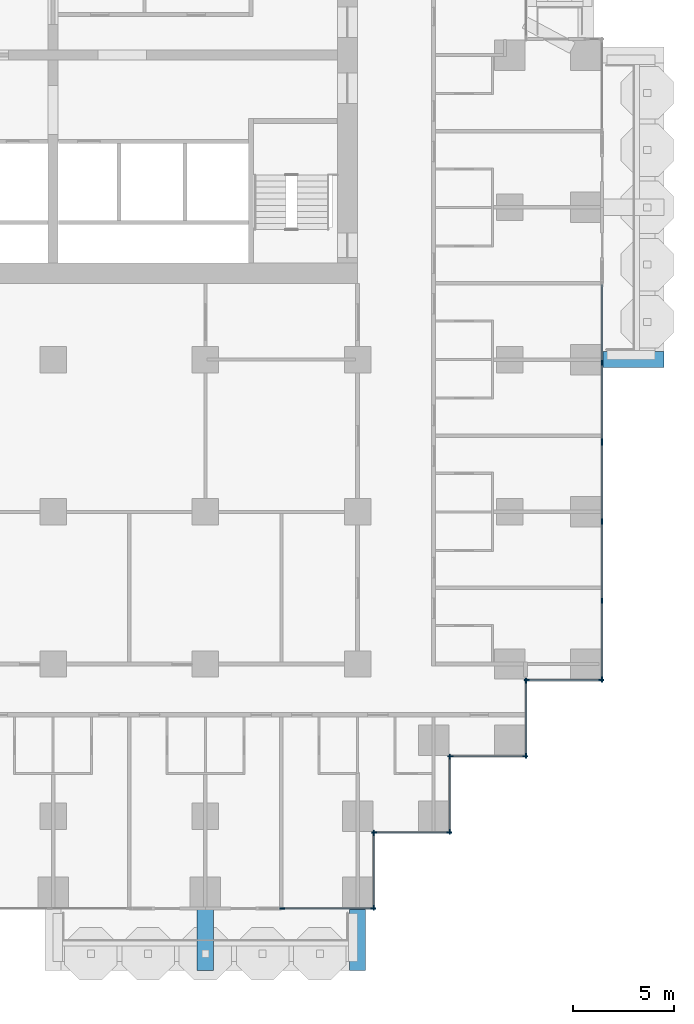
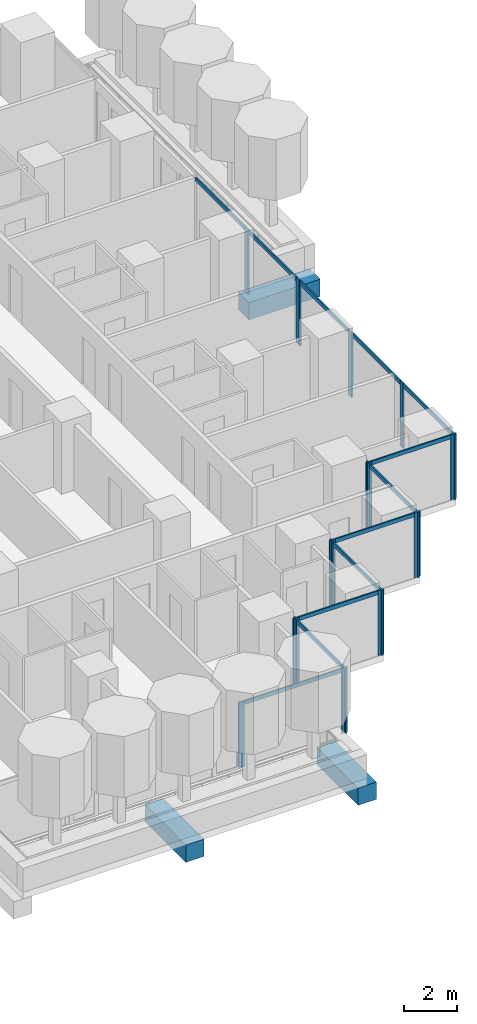
# One storey, part 4 of 20: 32 members, 3 beams, 9 elements without a shape of their own.
"""IFC4 building model written with IfcOpenShell, lengths in metres."""

from ifc_helpers import new_model, si_unit, direction, frame, origin, origin_2d, place, context, subcontext, project, spatial, rectangle, extrude, material, material_profile, profile_set, type_object, element, aggregate, save


model = new_model("IFC4")

# Units and contexts
model_context = context("Model", 3, precision=1e-05, world=origin(), true_north=direction((0.0, 1.0)))
body_context = subcontext(model_context, "Body", "Model", "MODEL_VIEW")
ifc_project = project(units=[si_unit("LENGTHUNIT", "METRE"), si_unit("AREAUNIT", "SQUARE_METRE"), si_unit("VOLUMEUNIT", "CUBIC_METRE"), si_unit("PLANEANGLEUNIT", "RADIAN"), si_unit("MASSUNIT", "GRAM", prefix="KILO")], contexts=[model_context])

# Site, building, storey
site_placement = place(None, origin())
site = spatial("IfcSite", under=ifc_project, at=site_placement, CompositionType="ELEMENT")
building_placement = place(site_placement, origin())
building = spatial("IfcBuilding", under=site, at=building_placement, Name="Pilkhan Gate Tower", CompositionType="ELEMENT")
storey_placement = place(building_placement, frame((0.0, 0.0, 92.300048828125)))
storey = spatial("IfcBuildingStorey", under=building, at=storey_placement, Name="L22", CompositionType="ELEMENT", Elevation=92.300048828125)

# Beams
ifc_material_1 = material(Name="Concrete C50/60", Category="concrete")
ifc_material_profile_1 = material_profile(ifc_material_1, rectangle(XDim=0.800048828125, YDim=0.800048828125, at=origin_2d()), Name="RC 800x800")
ifc_profile_set_1 = profile_set([ifc_material_profile_1], Name="Concrete C50/60")
beam_type = type_object("IfcBeamType", Name="Cantilever beam CB2 RC 800x800 C50/60", PredefinedType="BEAM", material=ifc_profile_set_1)
for number, where, z_axis, x_axis, name in (
    (1, (82.5, 40.5, -0.699951171875), (0.0, -1.0, 0.0), (1.0, 0.0, 0.0), "Balcony beam S.2 L22"),
    (2, (90.0, 40.5, -0.699951171875), (0.0, -1.0, 0.0), (1.0, 0.0, 0.0), "Balcony beam S.3 L22"),
    (3, (102.0, 67.5, -0.699951171875), (1.0, 0.0, 0.0), (0.0, 1.0, 0.0), "Balcony beam E.1 L22"),
):
    element("IfcBeam", number, at=place(storey_placement, frame(where, z_axis=z_axis, x_axis=x_axis)), inside=storey, type_object=beam_type, Name=name, PredefinedType="BEAM", context=body_context, shape_type="SweptSolid", body=[
        extrude(rectangle(XDim=0.800048828125, YDim=0.800048828125, at=origin_2d()), origin(), (0.0, 0.0, 1.0), 3.10009765625),
    ])

# Curtain wall, members
ifc_material_2 = material(Name="Pale anodised aluminium, clear low-iron double glazing", Category="aluminium")
curtain_wall_type = type_object("IfcCurtainWallType", Name="Hotel unitised curtain wall CW-H", PredefinedType="USERDEFINED", material=ifc_material_2)
curtain_wall_1_placement = place(storey_placement, origin())
curtain_wall_1 = element("IfcCurtainWall", 4, at=curtain_wall_1_placement, inside=storey, type_object=curtain_wall_type, Name="Hotel unitised curtain wall CW-H L22 E", ObjectType="UNITISED CURTAIN WALL", PredefinedType="USERDEFINED")
ifc_material_3 = material(Name="Pale anodised aluminium", Category="aluminium")
ifc_material_profile_2 = material_profile(ifc_material_3, rectangle(XDim=0.06494140625, YDim=0.25, at=origin_2d()), Name="Mullion 250x65")
ifc_profile_set_2 = profile_set([ifc_material_profile_2], Name="Pale anodised aluminium")
member_type_1 = type_object("IfcMemberType", Name="Mullion CW-H 250x65", PredefinedType="MULLION", material=ifc_profile_set_2)
member_1_placement = place(storey_placement, frame((102.044921875, 51.737548828125, 0.0), z_axis=(0.0, 0.0, 1.0), x_axis=(-1.0, 0.0, 0.0)))
member_1 = element("IfcMember", 5, at=member_1_placement, type_object=member_type_1, Name="CW-H mullion 1", PredefinedType="MULLION", context=body_context, shape_type="SweptSolid", body=[
    extrude(rectangle(XDim=0.06494140625, YDim=0.25, at=origin_2d()), origin(), (0.0, 0.0, 1.0), 3.0),
])
member_2_placement = place(storey_placement, frame((102.044921875, 55.614013671875, 0.0), z_axis=(0.0, 0.0, 1.0), x_axis=(-1.0, 0.0, 0.0)))
member_2 = element("IfcMember", 6, at=member_2_placement, type_object=member_type_1, Name="CW-H mullion 2", PredefinedType="MULLION", context=body_context, shape_type="SweptSolid", body=[
    extrude(rectangle(XDim=0.06494140625, YDim=0.25, at=origin_2d()), origin(), (0.0, 0.0, 1.0), 3.0),
])
member_3_placement = place(storey_placement, frame((102.044921875, 59.52294921875, 0.0), z_axis=(0.0, 0.0, 1.0), x_axis=(-1.0, 0.0, 0.0)))
member_3 = element("IfcMember", 7, at=member_3_placement, type_object=member_type_1, Name="CW-H mullion 3", PredefinedType="MULLION", context=body_context, shape_type="SweptSolid", body=[
    extrude(rectangle(XDim=0.06494140625, YDim=0.25, at=origin_2d()), origin(), (0.0, 0.0, 1.0), 3.0),
])
member_4_placement = place(storey_placement, frame((102.044921875, 63.3994140625, 0.0), z_axis=(0.0, 0.0, 1.0), x_axis=(-1.0, 0.0, 0.0)))
member_4 = element("IfcMember", 8, at=member_4_placement, type_object=member_type_1, Name="CW-H mullion 4", PredefinedType="MULLION", context=body_context, shape_type="SweptSolid", body=[
    extrude(rectangle(XDim=0.06494140625, YDim=0.25, at=origin_2d()), origin(), (0.0, 0.0, 1.0), 3.0),
])

curtain_wall_2_placement = place(storey_placement, origin())
curtain_wall_2 = element("IfcCurtainWall", 9, at=curtain_wall_2_placement, inside=storey, type_object=curtain_wall_type, Name="Hotel unitised curtain wall CW-H L22 E", ObjectType="UNITISED CURTAIN WALL", PredefinedType="USERDEFINED")
member_5_placement = place(storey_placement, frame((102.044921875, 63.464599609375, 0.0), z_axis=(0.0, 0.0, 1.0), x_axis=(-1.0, 0.0, 0.0)))
member_5 = element("IfcMember", 10, at=member_5_placement, type_object=member_type_1, Name="CW-H mullion 1", PredefinedType="MULLION", context=body_context, shape_type="SweptSolid", body=[
    extrude(rectangle(XDim=0.06494140625, YDim=0.25, at=origin_2d()), origin(), (0.0, 0.0, 1.0), 3.0),
])
member_6_placement = place(storey_placement, frame((102.044921875, 67.341064453125, 0.0), z_axis=(0.0, 0.0, 1.0), x_axis=(-1.0, 0.0, 0.0)))
member_6 = element("IfcMember", 11, at=member_6_placement, type_object=member_type_1, Name="CW-H mullion 2", PredefinedType="MULLION", context=body_context, shape_type="SweptSolid", body=[
    extrude(rectangle(XDim=0.06494140625, YDim=0.25, at=origin_2d()), origin(), (0.0, 0.0, 1.0), 3.0),
])

curtain_wall_3_placement = place(storey_placement, origin())
curtain_wall_3 = element("IfcCurtainWall", 12, at=curtain_wall_3_placement, inside=storey, type_object=curtain_wall_type, Name="Hotel unitised curtain wall CW-H L22 S", ObjectType="UNITISED CURTAIN WALL", PredefinedType="USERDEFINED")
member_7_placement = place(storey_placement, frame((86.282470703125, 40.455078125, 0.0), z_axis=(0.0, 0.0, 1.0), x_axis=(0.0, 1.0, 0.0)))
member_7 = element("IfcMember", 13, at=member_7_placement, type_object=member_type_1, Name="CW-H mullion 1", PredefinedType="MULLION", context=body_context, shape_type="SweptSolid", body=[
    extrude(rectangle(XDim=0.06494140625, YDim=0.25, at=origin_2d()), origin(), (0.0, 0.0, 1.0), 3.0),
])
member_8_placement = place(storey_placement, frame((90.762451171875, 40.455078125, 0.0), z_axis=(0.0, 0.0, 1.0), x_axis=(0.0, 1.0, 0.0)))
member_8 = element("IfcMember", 14, at=member_8_placement, type_object=member_type_1, Name="CW-H mullion 2", PredefinedType="MULLION", context=body_context, shape_type="SweptSolid", body=[
    extrude(rectangle(XDim=0.06494140625, YDim=0.25, at=origin_2d()), origin(), (0.0, 0.0, 1.0), 3.0),
])

curtain_wall_4_placement = place(storey_placement, origin())
curtain_wall_4 = element("IfcCurtainWall", 15, at=curtain_wall_4_placement, inside=storey, type_object=curtain_wall_type, Name="Hotel unitised curtain wall CW-H L22 E", ObjectType="UNITISED CURTAIN WALL", PredefinedType="USERDEFINED")
member_9_placement = place(storey_placement, frame((90.794921875, 40.487548828125, 0.0), z_axis=(0.0, 0.0, 1.0), x_axis=(-1.0, 0.0, 0.0)))
member_9 = element("IfcMember", 16, at=member_9_placement, type_object=member_type_1, Name="CW-H mullion 1", PredefinedType="MULLION", context=body_context, shape_type="SweptSolid", body=[
    extrude(rectangle(XDim=0.06494140625, YDim=0.25, at=origin_2d()), origin(), (0.0, 0.0, 1.0), 3.0),
])
member_10_placement = place(storey_placement, frame((90.794921875, 44.172607421875, 0.0), z_axis=(0.0, 0.0, 1.0), x_axis=(-1.0, 0.0, 0.0)))
member_10 = element("IfcMember", 17, at=member_10_placement, type_object=member_type_1, Name="CW-H mullion 2", PredefinedType="MULLION", context=body_context, shape_type="SweptSolid", body=[
    extrude(rectangle(XDim=0.06494140625, YDim=0.25, at=origin_2d()), origin(), (0.0, 0.0, 1.0), 3.0),
])

curtain_wall_5_placement = place(storey_placement, origin())
curtain_wall_5 = element("IfcCurtainWall", 18, at=curtain_wall_5_placement, inside=storey, type_object=curtain_wall_type, Name="Hotel unitised curtain wall CW-H L22 S", ObjectType="UNITISED CURTAIN WALL", PredefinedType="USERDEFINED")
member_11_placement = place(storey_placement, frame((90.827392578125, 44.205078125, 0.0), z_axis=(0.0, 0.0, 1.0), x_axis=(0.0, 1.0, 0.0)))
member_11 = element("IfcMember", 19, at=member_11_placement, type_object=member_type_1, Name="CW-H mullion 1", PredefinedType="MULLION", context=body_context, shape_type="SweptSolid", body=[
    extrude(rectangle(XDim=0.06494140625, YDim=0.25, at=origin_2d()), origin(), (0.0, 0.0, 1.0), 3.0),
])
member_12_placement = place(storey_placement, frame((94.512451171875, 44.205078125, 0.0), z_axis=(0.0, 0.0, 1.0), x_axis=(0.0, 1.0, 0.0)))
member_12 = element("IfcMember", 20, at=member_12_placement, type_object=member_type_1, Name="CW-H mullion 2", PredefinedType="MULLION", context=body_context, shape_type="SweptSolid", body=[
    extrude(rectangle(XDim=0.06494140625, YDim=0.25, at=origin_2d()), origin(), (0.0, 0.0, 1.0), 3.0),
])

curtain_wall_6_placement = place(storey_placement, origin())
curtain_wall_6 = element("IfcCurtainWall", 21, at=curtain_wall_6_placement, inside=storey, type_object=curtain_wall_type, Name="Hotel unitised curtain wall CW-H L22 E", ObjectType="UNITISED CURTAIN WALL", PredefinedType="USERDEFINED")
member_13_placement = place(storey_placement, frame((94.544921875, 44.237548828125, 0.0), z_axis=(0.0, 0.0, 1.0), x_axis=(-1.0, 0.0, 0.0)))
member_13 = element("IfcMember", 22, at=member_13_placement, type_object=member_type_1, Name="CW-H mullion 1", PredefinedType="MULLION", context=body_context, shape_type="SweptSolid", body=[
    extrude(rectangle(XDim=0.06494140625, YDim=0.25, at=origin_2d()), origin(), (0.0, 0.0, 1.0), 3.0),
])
member_14_placement = place(storey_placement, frame((94.544921875, 47.922607421875, 0.0), z_axis=(0.0, 0.0, 1.0), x_axis=(-1.0, 0.0, 0.0)))
member_14 = element("IfcMember", 23, at=member_14_placement, type_object=member_type_1, Name="CW-H mullion 2", PredefinedType="MULLION", context=body_context, shape_type="SweptSolid", body=[
    extrude(rectangle(XDim=0.06494140625, YDim=0.25, at=origin_2d()), origin(), (0.0, 0.0, 1.0), 3.0),
])

curtain_wall_7_placement = place(storey_placement, origin())
curtain_wall_7 = element("IfcCurtainWall", 24, at=curtain_wall_7_placement, inside=storey, type_object=curtain_wall_type, Name="Hotel unitised curtain wall CW-H L22 S", ObjectType="UNITISED CURTAIN WALL", PredefinedType="USERDEFINED")
member_15_placement = place(storey_placement, frame((94.577392578125, 47.955078125, 0.0), z_axis=(0.0, 0.0, 1.0), x_axis=(0.0, 1.0, 0.0)))
member_15 = element("IfcMember", 25, at=member_15_placement, type_object=member_type_1, Name="CW-H mullion 1", PredefinedType="MULLION", context=body_context, shape_type="SweptSolid", body=[
    extrude(rectangle(XDim=0.06494140625, YDim=0.25, at=origin_2d()), origin(), (0.0, 0.0, 1.0), 3.0),
])
member_16_placement = place(storey_placement, frame((98.262451171875, 47.955078125, 0.0), z_axis=(0.0, 0.0, 1.0), x_axis=(0.0, 1.0, 0.0)))
member_16 = element("IfcMember", 26, at=member_16_placement, type_object=member_type_1, Name="CW-H mullion 2", PredefinedType="MULLION", context=body_context, shape_type="SweptSolid", body=[
    extrude(rectangle(XDim=0.06494140625, YDim=0.25, at=origin_2d()), origin(), (0.0, 0.0, 1.0), 3.0),
])

curtain_wall_8_placement = place(storey_placement, origin())
curtain_wall_8 = element("IfcCurtainWall", 27, at=curtain_wall_8_placement, inside=storey, type_object=curtain_wall_type, Name="Hotel unitised curtain wall CW-H L22 E", ObjectType="UNITISED CURTAIN WALL", PredefinedType="USERDEFINED")
member_17_placement = place(storey_placement, frame((98.294921875, 47.987548828125, 0.0), z_axis=(0.0, 0.0, 1.0), x_axis=(-1.0, 0.0, 0.0)))
member_17 = element("IfcMember", 28, at=member_17_placement, type_object=member_type_1, Name="CW-H mullion 1", PredefinedType="MULLION", context=body_context, shape_type="SweptSolid", body=[
    extrude(rectangle(XDim=0.06494140625, YDim=0.25, at=origin_2d()), origin(), (0.0, 0.0, 1.0), 3.0),
])
member_18_placement = place(storey_placement, frame((98.294921875, 51.672607421875, 0.0), z_axis=(0.0, 0.0, 1.0), x_axis=(-1.0, 0.0, 0.0)))
member_18 = element("IfcMember", 29, at=member_18_placement, type_object=member_type_1, Name="CW-H mullion 2", PredefinedType="MULLION", context=body_context, shape_type="SweptSolid", body=[
    extrude(rectangle(XDim=0.06494140625, YDim=0.25, at=origin_2d()), origin(), (0.0, 0.0, 1.0), 3.0),
])

curtain_wall_9_placement = place(storey_placement, origin())
curtain_wall_9 = element("IfcCurtainWall", 30, at=curtain_wall_9_placement, inside=storey, type_object=curtain_wall_type, Name="Hotel unitised curtain wall CW-H L22 S", ObjectType="UNITISED CURTAIN WALL", PredefinedType="USERDEFINED")
member_19_placement = place(storey_placement, frame((98.327392578125, 51.705078125, 0.0), z_axis=(0.0, 0.0, 1.0), x_axis=(0.0, 1.0, 0.0)))
member_19 = element("IfcMember", 31, at=member_19_placement, type_object=member_type_1, Name="CW-H mullion 1", PredefinedType="MULLION", context=body_context, shape_type="SweptSolid", body=[
    extrude(rectangle(XDim=0.06494140625, YDim=0.25, at=origin_2d()), origin(), (0.0, 0.0, 1.0), 3.0),
])
member_20_placement = place(storey_placement, frame((102.012451171875, 51.705078125, 0.0), z_axis=(0.0, 0.0, 1.0), x_axis=(0.0, 1.0, 0.0)))
member_20 = element("IfcMember", 32, at=member_20_placement, type_object=member_type_1, Name="CW-H mullion 2", PredefinedType="MULLION", context=body_context, shape_type="SweptSolid", body=[
    extrude(rectangle(XDim=0.06494140625, YDim=0.25, at=origin_2d()), origin(), (0.0, 0.0, 1.0), 3.0),
])

# Member
ifc_material_profile_3 = material_profile(ifc_material_3, rectangle(XDim=0.06494140625, YDim=0.179931640625, at=origin_2d()), Name="Transom 180x65")
ifc_profile_set_3 = profile_set([ifc_material_profile_3], Name="Pale anodised aluminium")
member_type_2 = type_object("IfcMemberType", Name="Transom CW-H 180x65", PredefinedType="USERDEFINED", material=ifc_profile_set_3)
member_21_placement = place(storey_placement, frame((102.044921875, 51.77001953125, 2.909912109375), z_axis=(0.0, 1.0, 0.0), x_axis=(-1.0, 0.0, 0.0)))
member_21 = element("IfcMember", 33, at=member_21_placement, type_object=member_type_2, Name="CW-H transom 1", ObjectType="TRANSOM", PredefinedType="USERDEFINED", context=body_context, shape_type="SweptSolid", body=[
    extrude(rectangle(XDim=0.06494140625, YDim=0.179931640625, at=origin_2d()), origin(), (0.0, 0.0, 1.0), 3.8115234375),
])

member_22_placement = place(storey_placement, frame((102.044921875, 55.646484375, 2.909912109375), z_axis=(0.0, 1.0, 0.0), x_axis=(-1.0, 0.0, 0.0)))
member_22 = element("IfcMember", 34, at=member_22_placement, type_object=member_type_2, Name="CW-H transom 2", ObjectType="TRANSOM", PredefinedType="USERDEFINED", context=body_context, shape_type="SweptSolid", body=[
    extrude(rectangle(XDim=0.06494140625, YDim=0.179931640625, at=origin_2d()), origin(), (0.0, 0.0, 1.0), 3.843994140625),
])

member_23_placement = place(storey_placement, frame((102.044921875, 59.555419921875, 2.909912109375), z_axis=(0.0, 1.0, 0.0), x_axis=(-1.0, 0.0, 0.0)))
member_23 = element("IfcMember", 35, at=member_23_placement, type_object=member_type_2, Name="CW-H transom 3", ObjectType="TRANSOM", PredefinedType="USERDEFINED", context=body_context, shape_type="SweptSolid", body=[
    extrude(rectangle(XDim=0.06494140625, YDim=0.179931640625, at=origin_2d()), origin(), (0.0, 0.0, 1.0), 3.8115234375),
])

aggregate(curtain_wall_1, [member_1, member_2, member_3, member_4, member_21, member_22, member_23])

member_24_placement = place(storey_placement, frame((102.044921875, 63.4970703125, 2.909912109375), z_axis=(0.0, 1.0, 0.0), x_axis=(-1.0, 0.0, 0.0)))
member_24 = element("IfcMember", 36, at=member_24_placement, type_object=member_type_2, Name="CW-H transom 1", ObjectType="TRANSOM", PredefinedType="USERDEFINED", context=body_context, shape_type="SweptSolid", body=[
    extrude(rectangle(XDim=0.06494140625, YDim=0.179931640625, at=origin_2d()), origin(), (0.0, 0.0, 1.0), 3.8115234375),
])

member_25_placement = place(storey_placement, frame((102.044921875, 67.37353515625, 2.909912109375), z_axis=(0.0, 1.0, 0.0), x_axis=(-1.0, 0.0, 0.0)))
member_25 = element("IfcMember", 37, at=member_25_placement, type_object=member_type_2, Name="CW-H transom 2", ObjectType="TRANSOM", PredefinedType="USERDEFINED", context=body_context, shape_type="SweptSolid", body=[
    extrude(rectangle(XDim=0.06494140625, YDim=0.179931640625, at=origin_2d()), origin(), (0.0, 0.0, 1.0), 3.8115234375),
])

aggregate(curtain_wall_2, [member_5, member_6, member_24, member_25])

member_26_placement = place(storey_placement, frame((86.31494140625, 40.455078125, 2.909912109375), z_axis=(1.0, 0.0, 0.0), x_axis=(0.0, 1.0, 0.0)))
member_26 = element("IfcMember", 38, at=member_26_placement, type_object=member_type_2, Name="CW-H transom 1", ObjectType="TRANSOM", PredefinedType="USERDEFINED", context=body_context, shape_type="SweptSolid", body=[
    extrude(rectangle(XDim=0.06494140625, YDim=0.179931640625, at=origin_2d()), origin(), (0.0, 0.0, 1.0), 4.4150390625),
])

aggregate(curtain_wall_3, [member_7, member_8, member_26])

member_27_placement = place(storey_placement, frame((90.794921875, 40.52001953125, 2.909912109375), z_axis=(0.0, 1.0, 0.0), x_axis=(-1.0, 0.0, 0.0)))
member_27 = element("IfcMember", 39, at=member_27_placement, type_object=member_type_2, Name="CW-H transom 1", ObjectType="TRANSOM", PredefinedType="USERDEFINED", context=body_context, shape_type="SweptSolid", body=[
    extrude(rectangle(XDim=0.06494140625, YDim=0.179931640625, at=origin_2d()), origin(), (0.0, 0.0, 1.0), 3.619873046875),
])

aggregate(curtain_wall_4, [member_9, member_10, member_27])

member_28_placement = place(storey_placement, frame((90.860107421875, 44.205078125, 2.909912109375), z_axis=(1.0, 0.0, 0.0), x_axis=(0.0, 1.0, 0.0)))
member_28 = element("IfcMember", 40, at=member_28_placement, type_object=member_type_2, Name="CW-H transom 1", ObjectType="TRANSOM", PredefinedType="USERDEFINED", context=body_context, shape_type="SweptSolid", body=[
    extrude(rectangle(XDim=0.06494140625, YDim=0.179931640625, at=origin_2d()), origin(), (0.0, 0.0, 1.0), 3.619873046875),
])

aggregate(curtain_wall_5, [member_11, member_12, member_28])

member_29_placement = place(storey_placement, frame((94.544921875, 44.27001953125, 2.909912109375), z_axis=(0.0, 1.0, 0.0), x_axis=(-1.0, 0.0, 0.0)))
member_29 = element("IfcMember", 41, at=member_29_placement, type_object=member_type_2, Name="CW-H transom 1", ObjectType="TRANSOM", PredefinedType="USERDEFINED", context=body_context, shape_type="SweptSolid", body=[
    extrude(rectangle(XDim=0.06494140625, YDim=0.179931640625, at=origin_2d()), origin(), (0.0, 0.0, 1.0), 3.619873046875),
])

aggregate(curtain_wall_6, [member_13, member_14, member_29])

member_30_placement = place(storey_placement, frame((94.610107421875, 47.955078125, 2.909912109375), z_axis=(1.0, 0.0, 0.0), x_axis=(0.0, 1.0, 0.0)))
member_30 = element("IfcMember", 42, at=member_30_placement, type_object=member_type_2, Name="CW-H transom 1", ObjectType="TRANSOM", PredefinedType="USERDEFINED", context=body_context, shape_type="SweptSolid", body=[
    extrude(rectangle(XDim=0.06494140625, YDim=0.179931640625, at=origin_2d()), origin(), (0.0, 0.0, 1.0), 3.619873046875),
])

aggregate(curtain_wall_7, [member_15, member_16, member_30])

member_31_placement = place(storey_placement, frame((98.294921875, 48.02001953125, 2.909912109375), z_axis=(0.0, 1.0, 0.0), x_axis=(-1.0, 0.0, 0.0)))
member_31 = element("IfcMember", 43, at=member_31_placement, type_object=member_type_2, Name="CW-H transom 1", ObjectType="TRANSOM", PredefinedType="USERDEFINED", context=body_context, shape_type="SweptSolid", body=[
    extrude(rectangle(XDim=0.06494140625, YDim=0.179931640625, at=origin_2d()), origin(), (0.0, 0.0, 1.0), 3.619873046875),
])

aggregate(curtain_wall_8, [member_17, member_18, member_31])

member_32_placement = place(storey_placement, frame((98.360107421875, 51.705078125, 2.909912109375), z_axis=(1.0, 0.0, 0.0), x_axis=(0.0, 1.0, 0.0)))
member_32 = element("IfcMember", 44, at=member_32_placement, type_object=member_type_2, Name="CW-H transom 1", ObjectType="TRANSOM", PredefinedType="USERDEFINED", context=body_context, shape_type="SweptSolid", body=[
    extrude(rectangle(XDim=0.06494140625, YDim=0.179931640625, at=origin_2d()), origin(), (0.0, 0.0, 1.0), 3.619873046875),
])

aggregate(curtain_wall_9, [member_19, member_20, member_32])

save(model, "model.ifc")
